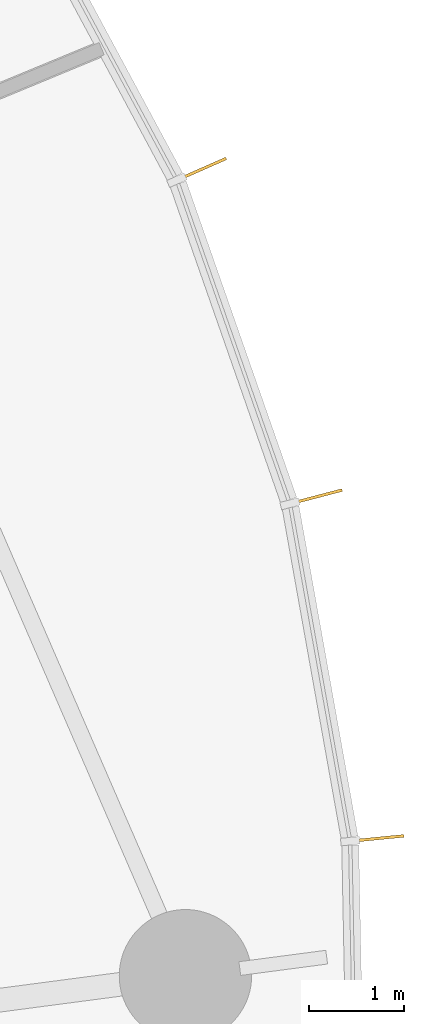
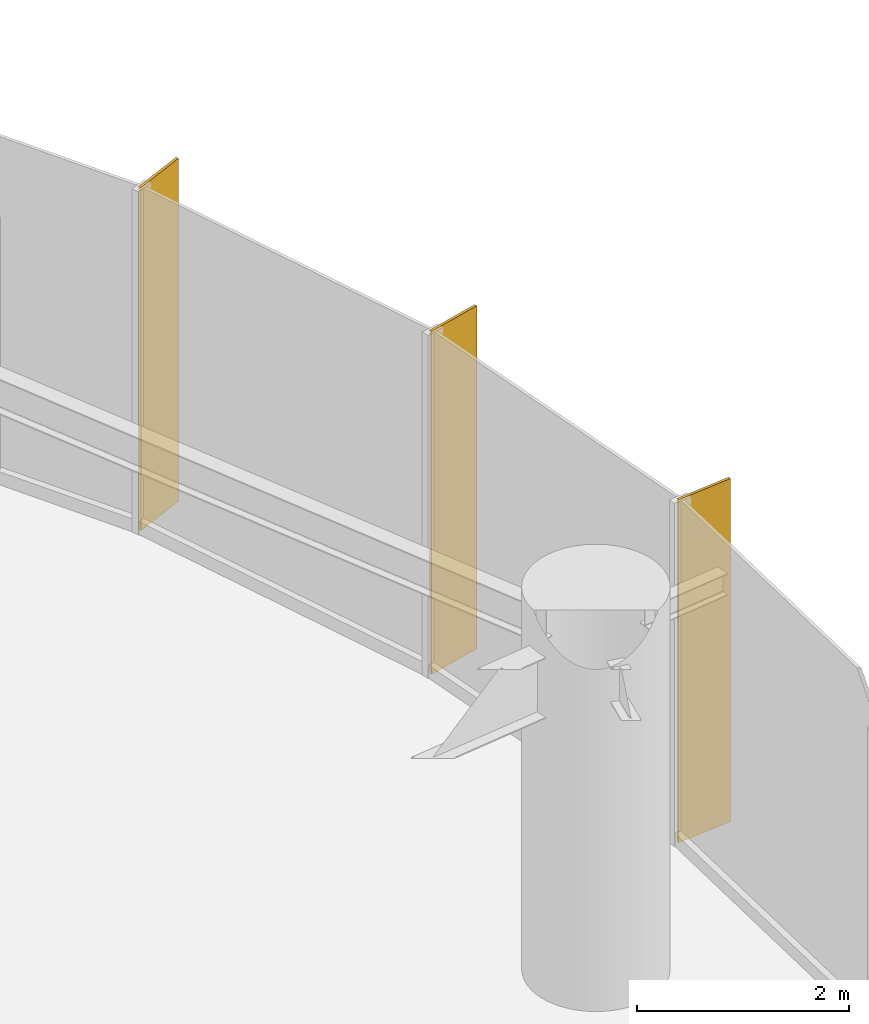
# One storey, part 18 of 18: 3 shading devices.
"""IFC4 building model written with IfcOpenShell, lengths in metres."""

from ifc_helpers import new_model, si_unit, direction, frame, origin, origin_2d, place, context, subcontext, project, spatial, rectangle, extrude, source, transform, mapped, material, material_profile, profile_set, type_object, element, save


model = new_model("IFC4")

# Units and contexts
model_context = context("Model", 3, precision=1e-05, world=origin(), true_north=direction((0.0, 1.0)))
body_context = subcontext(model_context, "Body", "Model", "MODEL_VIEW")
ifc_project = project(units=[si_unit("LENGTHUNIT", "METRE"), si_unit("AREAUNIT", "SQUARE_METRE"), si_unit("VOLUMEUNIT", "CUBIC_METRE"), si_unit("PLANEANGLEUNIT", "RADIAN"), si_unit("MASSUNIT", "GRAM", prefix="KILO")], contexts=[model_context])

# Site, building, storey
site_placement = place(None, origin())
site = spatial("IfcSite", under=ifc_project, at=site_placement, CompositionType="ELEMENT")
building_placement = place(site_placement, origin())
building = spatial("IfcBuilding", under=site, at=building_placement, Name="Spindrift Exchange Tower", CompositionType="ELEMENT")
storey_placement = place(building_placement, frame((0.0, 0.0, 66.60009765625)))
storey = spatial("IfcBuildingStorey", under=building, at=storey_placement, Name="L15", CompositionType="ELEMENT", Elevation=66.60009765625)

# Shading devices
ifc_material = material(Name="Bronze anodised aluminium", Category="aluminium")
ifc_material_profile = material_profile(ifc_material, rectangle(XDim=0.030029296875, YDim=0.60009765625, at=origin_2d()), Name="WIND FIN 30X600")
ifc_profile_set = profile_set([ifc_material_profile], Name="Bronze anodised aluminium")
shading_device_type = type_object("IfcShadingDeviceType", Name="WIND FIN 30X600", PredefinedType="USERDEFINED", material=ifc_profile_set)
shared_shape = source(origin(), body_context, "Body", "SweptSolid", [
    extrude(rectangle(XDim=0.030029296875, YDim=0.60009765625, at=origin_2d()), origin(), (0.0, 0.0, 1.0), 3.949951171875),
])
for number, where, z_axis, x_axis, name in (
    (1, (89.356689453125, 57.797607421875, 0.0), (0.0, 0.0, 1.0), (-0.25369210417, 0.96728502329, 0.0), "L15 wind fin 2"),
    (2, (88.146728515625, 61.25927734375, 0.0), (0.0, 0.0, 1.0), (-0.402976720002, 0.915210228929, 0.0), "L15 wind fin 3"),
    (3, (90.00146484375, 54.187744140625, 0.0), (0.0, 0.0, 1.0), (-0.098057089526, 0.99518079121, 0.0), "L15 wind fin 4"),
):
    element("IfcShadingDevice", number, at=place(storey_placement, frame(where, z_axis=z_axis, x_axis=x_axis)), inside=storey, type_object=shading_device_type, Name=name, ObjectType="FIN", PredefinedType="USERDEFINED", context=body_context, shape_type="MappedRepresentation", body=[
        mapped(shared_shape, transform((0.0, 0.0, 0.0), scale=1.0)),
    ])

save(model, "model.ifc")
